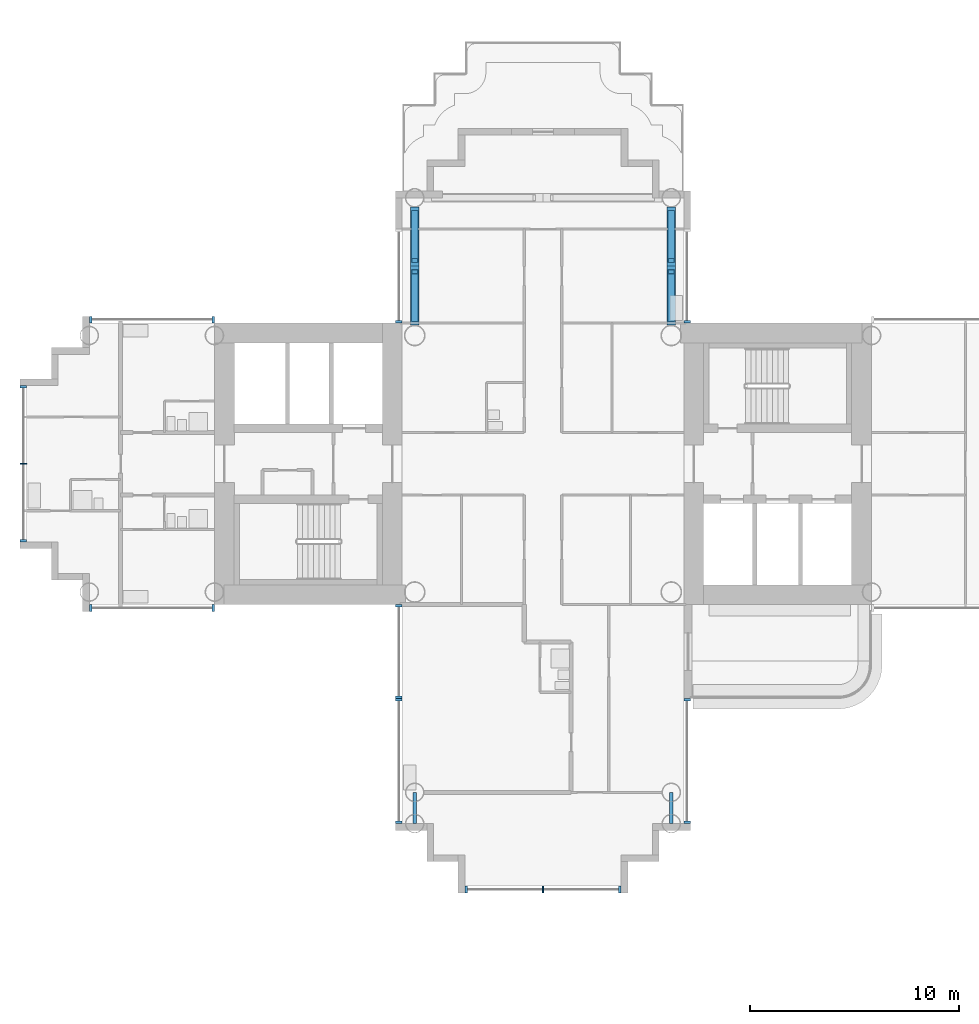
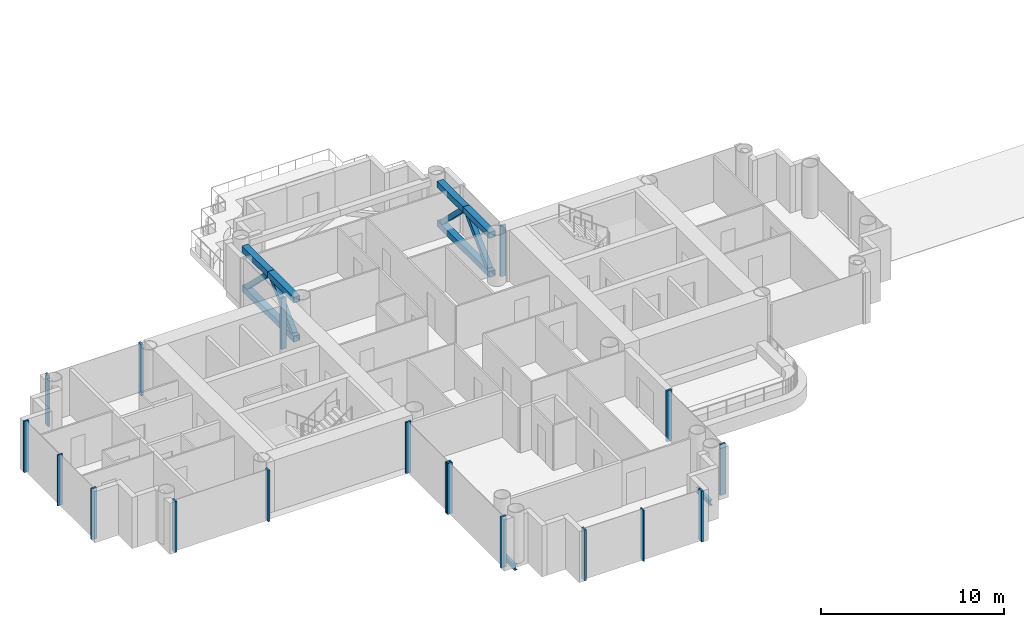
# One storey, part 3 of 22: 28 members, 2 beams, 9 elements without a shape of their own.
"""IFC4 building model written with IfcOpenShell, lengths in metres."""

import ifcopenshell
import ifcopenshell.guid

model = None  # the IFC model being written
_history = None  # IfcOwnerHistory: only IFC2X3 demands one
_inside = {}  # id of a spatial element -> (the spatial element, [elements in it])
_under = {}  # id of a project, library or spatial element -> (it, [spatial elements below it])
_declared = {}  # id of a project -> (the project, [libraries it declares])
_typed = {}  # id of a type object -> (the type object, [elements of that type])
_made_of = {}  # id of a material, layer set ... -> (it, [elements and type objects made of it])


def new_model(schema):
    """Start an empty IFC model of exactly this schema.

    Asked for "IFC4X3", IfcOpenShell would pick the latest addendum, in which some entities
    have other attributes; the version numbers below select the first issue.
    IFC2X3 requires an IfcOwnerHistory on every rooted entity: one is made here for all.
    """
    global model, _history
    if schema == "IFC4X3":
        model = ifcopenshell.file(schema_version=(4, 3, 0, 0))
    else:
        model = ifcopenshell.file(schema=schema)
    _inside.clear()
    _under.clear()
    _declared.clear()
    _typed.clear()
    _made_of.clear()
    _history = None
    if model.schema == "IFC2X3":
        org = make("IfcOrganization", Name="unknown")
        user = make(
            "IfcPersonAndOrganization",
            ThePerson=make("IfcPerson", FamilyName="unknown"),
            TheOrganization=org,
        )
        app = make(
            "IfcApplication",
            ApplicationDeveloper=org,
            Version="unknown",
            ApplicationFullName="unknown",
            ApplicationIdentifier="unknown",
        )
        _history = make(
            "IfcOwnerHistory",
            OwningUser=user,
            OwningApplication=app,
            ChangeAction="ADDED",
            CreationDate=0,
        )
    return model


def make(cls, **values):
    """One entity of the class cls with the attributes given. An attribute that is None is left unset."""
    return model.create_entity(
        cls, **{name: value for name, value in values.items() if value is not None}
    )


def rooted(cls, **values):
    """An entity with a GlobalId (a new one), such as an element, a storey or a relation."""
    return make(cls, GlobalId=ifcopenshell.guid.new(), OwnerHistory=_history, **values)


def si_unit(unit_type, name, prefix=None):
    """IfcSIUnit, for example si_unit("LENGTHUNIT", "METRE", prefix="MILLI")."""
    return make("IfcSIUnit", UnitType=unit_type, Prefix=prefix, Name=name)


def assignment(units):
    """IfcUnitAssignment: the units of a project."""
    return None if units is None else make("IfcUnitAssignment", Units=units)


def point(xyz):
    """IfcCartesianPoint."""
    return None if xyz is None else make("IfcCartesianPoint", Coordinates=xyz)


def direction(xyz):
    """IfcDirection."""
    return None if xyz is None else make("IfcDirection", DirectionRatios=xyz)


def frame(location, z_axis=None, x_axis=None):
    """IfcAxis2Placement3D, a coordinate frame: its origin and axes. An axis left out is left unset."""
    return make(
        "IfcAxis2Placement3D",
        Location=point(location),
        Axis=direction(z_axis),
        RefDirection=direction(x_axis),
    )


def frame_2d(location, x_axis=None):
    """IfcAxis2Placement2D, a coordinate frame in the plane: its origin and x axis."""
    return make(
        "IfcAxis2Placement2D", Location=point(location), RefDirection=direction(x_axis)
    )


def origin():
    """The frame at (0, 0, 0) with its axes left unset."""
    return frame((0.0, 0.0, 0.0))


def origin_2d():
    """The frame at (0, 0) in the plane with its x axis left unset."""
    return frame_2d((0.0, 0.0))


def place(relative_to, where):
    """IfcLocalPlacement: puts the frame where relative to a parent placement (None: the world)."""
    return make(
        "IfcLocalPlacement", PlacementRelTo=relative_to, RelativePlacement=where
    )


def context(
    kind, dimensions, precision=None, world=None, true_north=None, identifier=None
):
    """IfcGeometricRepresentationContext, for example the 3D "Model" context."""
    return make(
        "IfcGeometricRepresentationContext",
        ContextIdentifier=identifier,
        ContextType=kind,
        CoordinateSpaceDimension=dimensions,
        Precision=precision,
        WorldCoordinateSystem=world,
        TrueNorth=true_north,
    )


def subcontext(parent, identifier, kind, view, scale=None):
    """IfcGeometricRepresentationSubContext, for example "Body" below "Model"."""
    return make(
        "IfcGeometricRepresentationSubContext",
        ContextIdentifier=identifier,
        ContextType=kind,
        ParentContext=parent,
        TargetScale=scale,
        TargetView=view,
    )


def project(units=None, contexts=None):
    """IfcProject with its units and contexts."""
    return rooted(
        "IfcProject",
        Name="project",
        RepresentationContexts=contexts,
        UnitsInContext=assignment(units),
    )


def spatial(cls, under=None, at=None, **own):
    """A site, building, storey or space (cls), placed at a placement, below another one or the project."""
    s = rooted(cls, ObjectPlacement=at, **own)
    if under is not None:
        _under.setdefault(under.id(), (under, []))[1].append(s)
    return s


def profile(cls, at=None, kind="AREA", **sizes):
    """A parametric profile (cls). Its sizes go by their IFC names, for example OverallWidth=200.0."""
    return make(cls, ProfileType=kind, Position=at, **sizes)


def rectangle(**sizes):
    """IfcRectangleProfileDef."""
    return profile("IfcRectangleProfileDef", **sizes)


def hollow_rectangle(**sizes):
    """IfcRectangleHollowProfileDef."""
    return profile("IfcRectangleHollowProfileDef", **sizes)


def i_section(**sizes):
    """IfcIShapeProfileDef."""
    return profile("IfcIShapeProfileDef", **sizes)


def extrude(swept, where, along, depth):
    """IfcExtrudedAreaSolid: the profile swept, set in the frame where, extruded along a direction by depth."""
    return make(
        "IfcExtrudedAreaSolid",
        SweptArea=swept,
        Position=where,
        ExtrudedDirection=direction(along),
        Depth=depth,
    )


def shape(context_of_items, identifier, shape_type, items):
    """IfcShapeRepresentation: the items that make up one representation, for example the "Body"."""
    return make(
        "IfcShapeRepresentation",
        ContextOfItems=context_of_items,
        RepresentationIdentifier=identifier,
        RepresentationType=shape_type,
        Items=items,
    )


def material(Name=None, Category=None):
    """IfcMaterial."""
    return make("IfcMaterial", Name=Name, Category=Category)


def layer(
    of_material, thickness, ventilated=None, Name=None, Category=None, Priority=None
):
    """IfcMaterialLayer: one layer of a wall or slab, of a material (None: an air gap)."""
    return make(
        "IfcMaterialLayer",
        Material=of_material,
        LayerThickness=thickness,
        IsVentilated=ventilated,
        Name=Name,
        Category=Category,
        Priority=Priority,
    )


def layer_set(layers, Name=None):
    """IfcMaterialLayerSet."""
    return make("IfcMaterialLayerSet", MaterialLayers=layers, LayerSetName=Name)


def material_profile(
    of_material, cross_section, Name=None, Category=None, Priority=None
):
    """IfcMaterialProfile: a cross section and its material."""
    return make(
        "IfcMaterialProfile",
        Name=Name,
        Material=of_material,
        Profile=cross_section,
        Priority=Priority,
        Category=Category,
    )


def profile_set(profiles, Name=None, composite=None):
    """IfcMaterialProfileSet."""
    return make(
        "IfcMaterialProfileSet",
        Name=Name,
        MaterialProfiles=profiles,
        CompositeProfile=composite,
    )


def made_of(thing, what):
    """Note that an element or type object is made of a material, layer set ...; save() writes the relation."""
    if what is not None:
        _made_of.setdefault(what.id(), (what, []))[1].append(thing)
    return thing


def type_object(cls, material=None, **own):
    """A type object (cls), such as IfcWallType, which elements share."""
    return made_of(rooted(cls, **own), material)


def element(
    cls,
    number,
    at=None,
    inside=None,
    cuts=None,
    type_object=None,
    material=None,
    context=None,
    identifier="Body",
    shape_type=None,
    held_by="IfcProductDefinitionShape",
    body=None,
    shapes=None,
    **own,
):
    """One element of the class cls, such as IfcWall. Its Tag is "e" and its number.

    at: its placement. inside: the storey or other place that contains it. cuts: it is an
    opening in that element (IfcRelVoidsElement). A single representation is given by context,
    identifier, shape_type and body (its items); several are given by shapes. held_by: the class
    of the entity that holds the representations. save() writes the other relations.
    """
    e = rooted(cls, Tag="e%d" % number, ObjectPlacement=at, **own)
    if body is not None:
        shapes = [shape(context, identifier, shape_type, body)]
    if shapes is not None:
        e.Representation = make(held_by, Representations=shapes)
    if inside is not None:
        _inside.setdefault(inside.id(), (inside, []))[1].append(e)
    if cuts is not None:
        rooted(
            "IfcRelVoidsElement", RelatingBuildingElement=cuts, RelatedOpeningElement=e
        )
    if type_object is not None:
        _typed.setdefault(type_object.id(), (type_object, []))[1].append(e)
    return made_of(e, material)


def aggregate(whole, parts):
    """IfcRelAggregates: a whole, such as a stair, and the parts it consists of."""
    return rooted("IfcRelAggregates", RelatingObject=whole, RelatedObjects=parts)


def save(model, path):
    """Write the relations noted so far, then the file.

    IfcRelAggregates (storeys below a building ...), IfcRelContainedInSpatialStructure (elements
    in a storey), IfcRelDefinesByType, IfcRelAssociatesMaterial and IfcRelDeclares: one each for
    every whole, place, type object, material and project.
    """
    for whole, parts in _under.values():
        aggregate(whole, parts)
    for where, things in _inside.values():
        rooted(
            "IfcRelContainedInSpatialStructure",
            RelatedElements=things,
            RelatingStructure=where,
        )
    for kind, things in _typed.values():
        rooted("IfcRelDefinesByType", RelatedObjects=things, RelatingType=kind)
    for what, things in _made_of.values():
        rooted("IfcRelAssociatesMaterial", RelatedObjects=things, RelatingMaterial=what)
    for by, libraries in _declared.values():
        rooted("IfcRelDeclares", RelatingContext=by, RelatedDefinitions=libraries)
    model.write(path)


model = new_model("IFC4")

# Units and contexts
model_context = context("Model", 3, precision=1e-05, world=origin(), true_north=direction((0.0, 1.0)))
body_context = subcontext(model_context, "Body", "Model", "MODEL_VIEW")
ifc_project = project(units=[si_unit("LENGTHUNIT", "METRE"), si_unit("AREAUNIT", "SQUARE_METRE"), si_unit("VOLUMEUNIT", "CUBIC_METRE"), si_unit("PLANEANGLEUNIT", "RADIAN"), si_unit("MASSUNIT", "GRAM", prefix="KILO")], contexts=[model_context])

# Site, building, storey
site_placement = place(None, origin())
site = spatial("IfcSite", under=ifc_project, at=site_placement, CompositionType="ELEMENT")
building_placement = place(site_placement, origin())
building = spatial("IfcBuilding", under=site, at=building_placement, Name="Ipe Terrace Towers", CompositionType="ELEMENT")
storey_placement = place(building_placement, frame((0.0, 0.0, 76.60009765625)))
storey = spatial("IfcBuildingStorey", under=building, at=storey_placement, Name="L20", CompositionType="ELEMENT", Elevation=76.60009765625)

# Members
ifc_material_1 = material(Name="Steel S355", Category="steel")
ifc_material_profile_1 = material_profile(ifc_material_1, hollow_rectangle(XDim=0.300048828125, YDim=0.300048828125, WallThickness=0.01611328125, at=origin_2d()), Name="BELT-BRACE BOX 300x300x16")
ifc_profile_set_1 = profile_set([ifc_material_profile_1], Name="Steel S355")
member_type_1 = type_object("IfcMemberType", Name="BELT-BRACE BOX 300x300x16", PredefinedType="BRACE", material=ifc_profile_set_1)
for number, where, z_axis, x_axis, name in (
    (1, (-42.14990234375, 6.91796875, 0.3798828125), (0.0, 0.714726327744, 0.699404229634), (-1.0, 0.0, 0.0), "T1-BT-L20-002 diagonal"),
    (2, (-42.14990234375, 12.031982421875, 0.3798828125), (0.0, -0.714726327744, 0.699404229634), (1.0, 0.0, 0.0), "T1-BT-L20-003 diagonal"),
    (3, (-29.85009765625, 6.91796875, 0.3798828125), (0.0, 0.714726327744, 0.699404229634), (-1.0, 0.0, 0.0), "T1-BT-L20-007 diagonal"),
    (4, (-29.85009765625, 12.031982421875, 0.3798828125), (0.0, -0.714726327744, 0.699404229634), (1.0, 0.0, 0.0), "T1-BT-L20-008 diagonal"),
):
    element("IfcMember", number, at=place(storey_placement, frame(where, z_axis=z_axis, x_axis=x_axis)), inside=storey, type_object=member_type_1, Name=name, PredefinedType="BRACE", context=body_context, shape_type="SweptSolid", body=[
        extrude(hollow_rectangle(XDim=0.300048828125, YDim=0.300048828125, WallThickness=0.01611328125, at=origin_2d()), origin(), (0.0, 0.0, 1.0), 3.20263671875),
    ])
ifc_material_2 = material(Name="Steel S355", Category="steel")
ifc_material_profile_2 = material_profile(ifc_material_2, hollow_rectangle(XDim=0.39990234375, YDim=0.39990234375, WallThickness=0.02001953125, at=origin_2d()), Name="BELT-CHORD BOX 400x400x20")
ifc_profile_set_2 = profile_set([ifc_material_profile_2], Name="Steel S355")
member_type_2 = type_object("IfcMemberType", Name="BELT-CHORD BOX 400x400x20", PredefinedType="CHORD", material=ifc_profile_set_2)
member_1_placement = place(storey_placement, frame((-42.14990234375, 6.64990234375, 0.199951171875), z_axis=(0.0, 1.0, 0.0), x_axis=(-1.0, 0.0, 0.0)))
element("IfcMember", 5, at=member_1_placement, inside=storey, type_object=member_type_2, Name="T1-BT-L20-001 bottom chord", PredefinedType="CHORD", context=body_context, shape_type="SweptSolid", body=[
    extrude(hollow_rectangle(XDim=0.39990234375, YDim=0.39990234375, WallThickness=0.02001953125, at=origin_2d()), origin(), (0.0, 0.0, 1.0), 5.650146484375),
])
member_2_placement = place(storey_placement, frame((-42.14990234375, 6.64990234375, 2.7998046875), z_axis=(0.0, 1.0, 0.0), x_axis=(-1.0, 0.0, 0.0)))
element("IfcMember", 6, at=member_2_placement, inside=storey, type_object=member_type_2, Name="T1-BT-L20-004 top chord", PredefinedType="CHORD", context=body_context, shape_type="SweptSolid", body=[
    extrude(hollow_rectangle(XDim=0.39990234375, YDim=0.39990234375, WallThickness=0.02001953125, at=origin_2d()), origin(), (0.0, 0.0, 1.0), 2.8251953125),
])
member_3_placement = place(storey_placement, frame((-42.14990234375, 9.47509765625, 2.7998046875), z_axis=(0.0, 1.0, 0.0), x_axis=(-1.0, 0.0, 0.0)))
element("IfcMember", 7, at=member_3_placement, inside=storey, type_object=member_type_2, Name="T1-BT-L20-005 top chord", PredefinedType="CHORD", context=body_context, shape_type="SweptSolid", body=[
    extrude(hollow_rectangle(XDim=0.39990234375, YDim=0.39990234375, WallThickness=0.02001953125, at=origin_2d()), origin(), (0.0, 0.0, 1.0), 2.824951171875),
])
member_4_placement = place(storey_placement, frame((-29.85009765625, 6.64990234375, 0.199951171875), z_axis=(0.0, 1.0, 0.0), x_axis=(-1.0, 0.0, 0.0)))
element("IfcMember", 8, at=member_4_placement, inside=storey, type_object=member_type_2, Name="T1-BT-L20-006 bottom chord", PredefinedType="CHORD", context=body_context, shape_type="SweptSolid", body=[
    extrude(hollow_rectangle(XDim=0.39990234375, YDim=0.39990234375, WallThickness=0.02001953125, at=origin_2d()), origin(), (0.0, 0.0, 1.0), 5.650146484375),
])
member_5_placement = place(storey_placement, frame((-29.85009765625, 6.64990234375, 2.7998046875), z_axis=(0.0, 1.0, 0.0), x_axis=(-1.0, 0.0, 0.0)))
element("IfcMember", 9, at=member_5_placement, inside=storey, type_object=member_type_2, Name="T1-BT-L20-009 top chord", PredefinedType="CHORD", context=body_context, shape_type="SweptSolid", body=[
    extrude(hollow_rectangle(XDim=0.39990234375, YDim=0.39990234375, WallThickness=0.02001953125, at=origin_2d()), origin(), (0.0, 0.0, 1.0), 2.8251953125),
])
member_6_placement = place(storey_placement, frame((-29.85009765625, 9.47509765625, 2.7998046875), z_axis=(0.0, 1.0, 0.0), x_axis=(-1.0, 0.0, 0.0)))
element("IfcMember", 10, at=member_6_placement, inside=storey, type_object=member_type_2, Name="T1-BT-L20-010 top chord", PredefinedType="CHORD", context=body_context, shape_type="SweptSolid", body=[
    extrude(hollow_rectangle(XDim=0.39990234375, YDim=0.39990234375, WallThickness=0.02001953125, at=origin_2d()), origin(), (0.0, 0.0, 1.0), 2.824951171875),
])

# Beams
ifc_material_3 = material(Name="Steel S355", Category="steel")
ifc_material_profile_3 = material_profile(ifc_material_3, i_section(OverallWidth=0.175048828125, OverallDepth=0.35009765625, WebThickness=0.007080078125, FlangeThickness=0.010986328125, at=origin_2d()), Name="H-350x175x7x11")
ifc_profile_set_3 = profile_set([ifc_material_profile_3], Name="Steel S355")
beam_type = type_object("IfcBeamType", Name="H04 EDGE BEAM H-350x175x7x11", PredefinedType="BEAM", material=ifc_profile_set_3)
for number, where, z_axis, x_axis, name in (
    (11, (-42.14990234375, -15.75, -0.5751953125), (0.0, -1.0, 0.0), (1.0, 0.0, 0.0), "Edge beam T1-EB-D03-D05"),
    (12, (-29.85009765625, -15.75, -0.5751953125), (0.0, -1.0, 0.0), (1.0, 0.0, 0.0), "Edge beam T1-EB-D04-D06"),
):
    element("IfcBeam", number, at=place(storey_placement, frame(where, z_axis=z_axis, x_axis=x_axis)), inside=storey, type_object=beam_type, Name=name, PredefinedType="BEAM", context=body_context, shape_type="SweptSolid", body=[
        extrude(i_section(OverallWidth=0.175048828125, OverallDepth=0.35009765625, WebThickness=0.007080078125, FlangeThickness=0.010986328125, at=origin_2d()), origin(), (0.0, 0.0, 1.0), 1.5),
    ])

# Curtain wall, members
ifc_material_4 = material(Name="Aluminium alloy 6063-T6", Category="aluminium")
ifc_layer = layer(ifc_material_4, 0.320068359375)
ifc_layer_set = layer_set([ifc_layer], Name="TOWER UNITISED CURTAIN WALL")
curtain_wall_type = type_object("IfcCurtainWallType", Name="TOWER UNITISED CURTAIN WALL", PredefinedType="NOTDEFINED", material=ifc_layer_set)
curtain_wall_1_placement = place(storey_placement, origin())
curtain_wall_1 = element("IfcCurtainWall", 13, at=curtain_wall_1_placement, inside=storey, type_object=curtain_wall_type, Name="T1-CW-L20-04a curtain wall", PredefinedType="NOTDEFINED")
ifc_material_5 = material(Name="Aluminium alloy 6063-T6", Category="aluminium")
ifc_material_profile_4 = material_profile(ifc_material_5, rectangle(XDim=0.320068359375, YDim=0.1201171875, at=origin_2d()), Name="TOWER UNITISED CORNER MULLION 320 x 120")
ifc_profile_set_4 = profile_set([ifc_material_profile_4], Name="Aluminium alloy 6063-T6")
member_type_3 = type_object("IfcMemberType", Name="TOWER UNITISED CORNER MULLION 320 x 120", PredefinedType="MULLION", material=ifc_profile_set_4)
member_7_placement = place(storey_placement, frame((-57.68994140625, -6.909912109375, -0.300048828125), z_axis=(0.0, 0.0, 1.0), x_axis=(0.0, -1.0, 0.0)))
member_7 = element("IfcMember", 14, at=member_7_placement, type_object=member_type_3, Name="T1-CW-L20-04a mullion 1", PredefinedType="MULLION", context=body_context, shape_type="SweptSolid", body=[
    extrude(rectangle(XDim=0.320068359375, YDim=0.1201171875, at=origin_2d()), origin(), (0.0, 0.0, 1.0), 3.39990234375),
])
member_8_placement = place(storey_placement, frame((-51.81103515625, -6.909912109375, -0.300048828125), z_axis=(0.0, 0.0, 1.0), x_axis=(0.0, -1.0, 0.0)))
member_8 = element("IfcMember", 15, at=member_8_placement, type_object=member_type_3, Name="T1-CW-L20-04a mullion 2", PredefinedType="MULLION", context=body_context, shape_type="SweptSolid", body=[
    extrude(rectangle(XDim=0.320068359375, YDim=0.1201171875, at=origin_2d()), origin(), (0.0, 0.0, 1.0), 3.39990234375),
])
aggregate(curtain_wall_1, [member_7, member_8])

curtain_wall_2_placement = place(storey_placement, origin())
curtain_wall_2 = element("IfcCurtainWall", 16, at=curtain_wall_2_placement, inside=storey, type_object=curtain_wall_type, Name="T1-CW-L20-06a curtain wall", PredefinedType="NOTDEFINED")
member_9_placement = place(storey_placement, frame((-42.909912109375, -6.81005859375, -0.300048828125), z_axis=(0.0, 0.0, 1.0), x_axis=(-1.0, 0.0, 0.0)))
member_9 = element("IfcMember", 17, at=member_9_placement, type_object=member_type_3, Name="T1-CW-L20-06a mullion 1", PredefinedType="MULLION", context=body_context, shape_type="SweptSolid", body=[
    extrude(rectangle(XDim=0.320068359375, YDim=0.1201171875, at=origin_2d()), origin(), (0.0, 0.0, 1.0), 3.39990234375),
])
member_10_placement = place(storey_placement, frame((-42.909912109375, -11.18994140625, -0.300048828125), z_axis=(0.0, 0.0, 1.0), x_axis=(-1.0, 0.0, 0.0)))
member_10 = element("IfcMember", 18, at=member_10_placement, type_object=member_type_3, Name="T1-CW-L20-06a mullion 2", PredefinedType="MULLION", context=body_context, shape_type="SweptSolid", body=[
    extrude(rectangle(XDim=0.320068359375, YDim=0.1201171875, at=origin_2d()), origin(), (0.0, 0.0, 1.0), 3.39990234375),
])
aggregate(curtain_wall_2, [member_9, member_10])

curtain_wall_3_placement = place(storey_placement, origin())
curtain_wall_3 = element("IfcCurtainWall", 19, at=curtain_wall_3_placement, inside=storey, type_object=curtain_wall_type, Name="T1-CW-L20-07a curtain wall", PredefinedType="NOTDEFINED")
member_11_placement = place(storey_placement, frame((-42.909912109375, -11.31005859375, -0.300048828125), z_axis=(0.0, 0.0, 1.0), x_axis=(-1.0, 0.0, 0.0)))
member_11 = element("IfcMember", 20, at=member_11_placement, type_object=member_type_3, Name="T1-CW-L20-07a mullion 1", PredefinedType="MULLION", context=body_context, shape_type="SweptSolid", body=[
    extrude(rectangle(XDim=0.320068359375, YDim=0.1201171875, at=origin_2d()), origin(), (0.0, 0.0, 1.0), 3.39990234375),
])
member_12_placement = place(storey_placement, frame((-42.909912109375, -17.18994140625, -0.300048828125), z_axis=(0.0, 0.0, 1.0), x_axis=(-1.0, 0.0, 0.0)))
member_12 = element("IfcMember", 21, at=member_12_placement, type_object=member_type_3, Name="T1-CW-L20-07a mullion 2", PredefinedType="MULLION", context=body_context, shape_type="SweptSolid", body=[
    extrude(rectangle(XDim=0.320068359375, YDim=0.1201171875, at=origin_2d()), origin(), (0.0, 0.0, 1.0), 3.39990234375),
])
aggregate(curtain_wall_3, [member_11, member_12])

curtain_wall_4_placement = place(storey_placement, origin())
curtain_wall_4 = element("IfcCurtainWall", 22, at=curtain_wall_4_placement, inside=storey, type_object=curtain_wall_type, Name="T1-CW-L20-12a curtain wall", PredefinedType="NOTDEFINED")
member_13_placement = place(storey_placement, frame((-39.68994140625, -20.409912109375, -0.300048828125), z_axis=(0.0, 0.0, 1.0), x_axis=(0.0, -1.0, 0.0)))
member_13 = element("IfcMember", 23, at=member_13_placement, type_object=member_type_3, Name="T1-CW-L20-12a mullion 1", PredefinedType="MULLION", context=body_context, shape_type="SweptSolid", body=[
    extrude(rectangle(XDim=0.320068359375, YDim=0.1201171875, at=origin_2d()), origin(), (0.0, 0.0, 1.0), 3.39990234375),
])
member_14_placement = place(storey_placement, frame((-32.31005859375, -20.409912109375, -0.300048828125), z_axis=(0.0, 0.0, 1.0), x_axis=(0.0, -1.0, 0.0)))
member_14 = element("IfcMember", 24, at=member_14_placement, type_object=member_type_3, Name="T1-CW-L20-12a mullion 3", PredefinedType="MULLION", context=body_context, shape_type="SweptSolid", body=[
    extrude(rectangle(XDim=0.320068359375, YDim=0.1201171875, at=origin_2d()), origin(), (0.0, 0.0, 1.0), 3.39990234375),
])

curtain_wall_5_placement = place(storey_placement, origin())
curtain_wall_5 = element("IfcCurtainWall", 25, at=curtain_wall_5_placement, inside=storey, type_object=curtain_wall_type, Name="T1-CW-L20-17a curtain wall", PredefinedType="NOTDEFINED")
member_15_placement = place(storey_placement, frame((-29.090087890625, -17.18994140625, -0.300048828125), z_axis=(0.0, 0.0, 1.0), x_axis=(1.0, 0.0, 0.0)))
member_15 = element("IfcMember", 26, at=member_15_placement, type_object=member_type_3, Name="T1-CW-L20-17a mullion 1", PredefinedType="MULLION", context=body_context, shape_type="SweptSolid", body=[
    extrude(rectangle(XDim=0.320068359375, YDim=0.1201171875, at=origin_2d()), origin(), (0.0, 0.0, 1.0), 3.39990234375),
])
member_16_placement = place(storey_placement, frame((-29.090087890625, -11.31005859375, -0.300048828125), z_axis=(0.0, 0.0, 1.0), x_axis=(1.0, 0.0, 0.0)))
member_16 = element("IfcMember", 27, at=member_16_placement, type_object=member_type_3, Name="T1-CW-L20-17a mullion 2", PredefinedType="MULLION", context=body_context, shape_type="SweptSolid", body=[
    extrude(rectangle(XDim=0.320068359375, YDim=0.1201171875, at=origin_2d()), origin(), (0.0, 0.0, 1.0), 3.39990234375),
])
aggregate(curtain_wall_5, [member_15, member_16])

# Curtain wall, member
curtain_wall_6_placement = place(storey_placement, origin())
curtain_wall_6 = element("IfcCurtainWall", 28, at=curtain_wall_6_placement, inside=storey, type_object=curtain_wall_type, Name="T1-CW-L20-32a curtain wall", PredefinedType="NOTDEFINED")
member_17_placement = place(storey_placement, frame((-29.090087890625, 6.81005859375, -0.300048828125), z_axis=(0.0, 0.0, 1.0), x_axis=(1.0, 0.0, 0.0)))
member_17 = element("IfcMember", 29, at=member_17_placement, type_object=member_type_3, Name="T1-CW-L20-32a mullion 1", PredefinedType="MULLION", context=body_context, shape_type="SweptSolid", body=[
    extrude(rectangle(XDim=0.320068359375, YDim=0.1201171875, at=origin_2d()), origin(), (0.0, 0.0, 1.0), 3.39990234375),
])
aggregate(curtain_wall_6, [member_17])

curtain_wall_7_placement = place(storey_placement, origin())
curtain_wall_7 = element("IfcCurtainWall", 30, at=curtain_wall_7_placement, inside=storey, type_object=curtain_wall_type, Name="T1-CW-L20-44a curtain wall", PredefinedType="NOTDEFINED")
member_18_placement = place(storey_placement, frame((-42.909912109375, 6.81005859375, -0.300048828125), z_axis=(0.0, 0.0, 1.0), x_axis=(-1.0, 0.0, 0.0)))
member_18 = element("IfcMember", 31, at=member_18_placement, type_object=member_type_3, Name="T1-CW-L20-44a mullion 2", PredefinedType="MULLION", context=body_context, shape_type="SweptSolid", body=[
    extrude(rectangle(XDim=0.320068359375, YDim=0.1201171875, at=origin_2d()), origin(), (0.0, 0.0, 1.0), 3.39990234375),
])
aggregate(curtain_wall_7, [member_18])

# Curtain wall, members
curtain_wall_8_placement = place(storey_placement, origin())
curtain_wall_8 = element("IfcCurtainWall", 32, at=curtain_wall_8_placement, inside=storey, type_object=curtain_wall_type, Name="T1-CW-L20-46b curtain wall", PredefinedType="NOTDEFINED")
member_19_placement = place(storey_placement, frame((-51.81103515625, 6.909912109375, -0.300048828125), z_axis=(0.0, 0.0, 1.0), x_axis=(0.0, 1.0, 0.0)))
member_19 = element("IfcMember", 33, at=member_19_placement, type_object=member_type_3, Name="T1-CW-L20-46b mullion 1", PredefinedType="MULLION", context=body_context, shape_type="SweptSolid", body=[
    extrude(rectangle(XDim=0.320068359375, YDim=0.1201171875, at=origin_2d()), origin(), (0.0, 0.0, 1.0), 3.39990234375),
])
member_20_placement = place(storey_placement, frame((-57.68994140625, 6.909912109375, -0.300048828125), z_axis=(0.0, 0.0, 1.0), x_axis=(0.0, 1.0, 0.0)))
member_20 = element("IfcMember", 34, at=member_20_placement, type_object=member_type_3, Name="T1-CW-L20-46b mullion 2", PredefinedType="MULLION", context=body_context, shape_type="SweptSolid", body=[
    extrude(rectangle(XDim=0.320068359375, YDim=0.1201171875, at=origin_2d()), origin(), (0.0, 0.0, 1.0), 3.39990234375),
])
aggregate(curtain_wall_8, [member_19, member_20])

curtain_wall_9_placement = place(storey_placement, origin())
curtain_wall_9 = element("IfcCurtainWall", 35, at=curtain_wall_9_placement, inside=storey, type_object=curtain_wall_type, Name="T1-CW-L20-51a curtain wall", PredefinedType="NOTDEFINED")
member_21_placement = place(storey_placement, frame((-60.909912109375, 3.68994140625, -0.300048828125), z_axis=(0.0, 0.0, 1.0), x_axis=(-1.0, 0.0, 0.0)))
member_21 = element("IfcMember", 36, at=member_21_placement, type_object=member_type_3, Name="T1-CW-L20-51a mullion 1", PredefinedType="MULLION", context=body_context, shape_type="SweptSolid", body=[
    extrude(rectangle(XDim=0.320068359375, YDim=0.1201171875, at=origin_2d()), origin(), (0.0, 0.0, 1.0), 3.39990234375),
])
member_22_placement = place(storey_placement, frame((-60.909912109375, -3.68994140625, -0.300048828125), z_axis=(0.0, 0.0, 1.0), x_axis=(-1.0, 0.0, 0.0)))
member_22 = element("IfcMember", 37, at=member_22_placement, type_object=member_type_3, Name="T1-CW-L20-51a mullion 3", PredefinedType="MULLION", context=body_context, shape_type="SweptSolid", body=[
    extrude(rectangle(XDim=0.320068359375, YDim=0.1201171875, at=origin_2d()), origin(), (0.0, 0.0, 1.0), 3.39990234375),
])

# Member
ifc_material_6 = material(Name="Aluminium alloy 6063-T6", Category="aluminium")
ifc_material_profile_5 = material_profile(ifc_material_6, rectangle(XDim=0.320068359375, YDim=0.06494140625, at=origin_2d()), Name="TOWER UNITISED MULLION 320 x 65")
ifc_profile_set_5 = profile_set([ifc_material_profile_5], Name="Aluminium alloy 6063-T6")
member_type_4 = type_object("IfcMemberType", Name="TOWER UNITISED MULLION 320 x 65", PredefinedType="MULLION", material=ifc_profile_set_5)
member_23_placement = place(storey_placement, frame((-36.0, -20.409912109375, -0.300048828125), z_axis=(0.0, 0.0, 1.0), x_axis=(0.0, -1.0, 0.0)))
member_23 = element("IfcMember", 38, at=member_23_placement, type_object=member_type_4, Name="T1-CW-L20-12a mullion 2", PredefinedType="MULLION", context=body_context, shape_type="SweptSolid", body=[
    extrude(rectangle(XDim=0.320068359375, YDim=0.06494140625, at=origin_2d()), origin(), (0.0, 0.0, 1.0), 3.39990234375),
])

aggregate(curtain_wall_4, [member_13, member_23, member_14])

member_24_placement = place(storey_placement, frame((-60.909912109375, 0.0, -0.300048828125), z_axis=(0.0, 0.0, 1.0), x_axis=(-1.0, 0.0, 0.0)))
member_24 = element("IfcMember", 39, at=member_24_placement, type_object=member_type_4, Name="T1-CW-L20-51a mullion 2", PredefinedType="MULLION", context=body_context, shape_type="SweptSolid", body=[
    extrude(rectangle(XDim=0.320068359375, YDim=0.06494140625, at=origin_2d()), origin(), (0.0, 0.0, 1.0), 3.39990234375),
])

aggregate(curtain_wall_9, [member_21, member_24, member_22])

save(model, "model.ifc")
